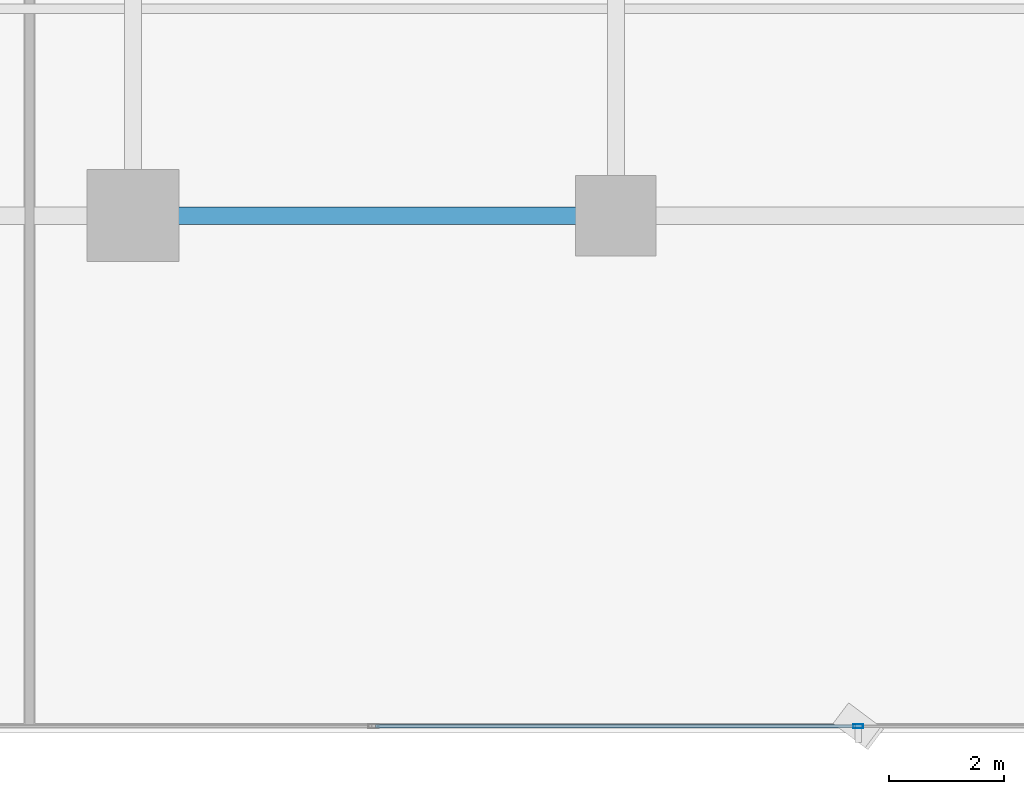
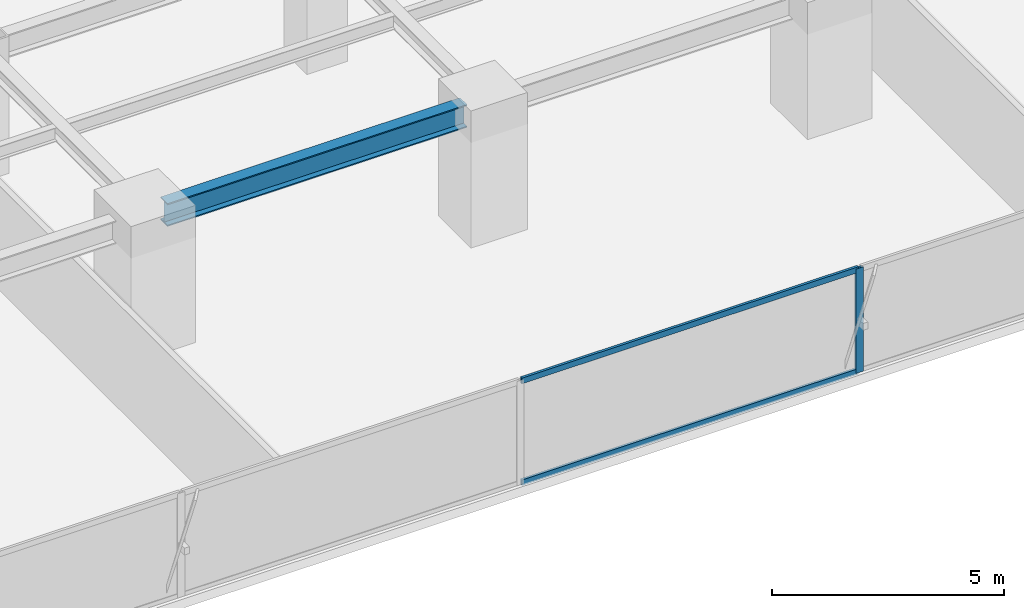
# One storey, part 5 of 32: 3 members, 1 beam, 1 element without a shape of its own.
"""IFC4 building model written with IfcOpenShell, lengths in metres."""

from ifc_helpers import new_model, si_unit, direction, frame, origin, origin_2d, place, context, subcontext, project, spatial, hollow_rectangle, i_section, extrude, source, transform, mapped, material, layer, layer_set, material_profile, profile_set, type_object, element, aggregate, save


model = new_model("IFC4")

# Units and contexts
model_context = context("Model", 3, precision=1e-05, world=origin(), true_north=direction((0.0, 1.0)))
body_context = subcontext(model_context, "Body", "Model", "MODEL_VIEW")
ifc_project = project(units=[si_unit("LENGTHUNIT", "METRE"), si_unit("AREAUNIT", "SQUARE_METRE"), si_unit("VOLUMEUNIT", "CUBIC_METRE"), si_unit("PLANEANGLEUNIT", "RADIAN"), si_unit("MASSUNIT", "GRAM", prefix="KILO")], contexts=[model_context])

# Site, building, storey
site_placement = place(None, origin())
site = spatial("IfcSite", under=ifc_project, at=site_placement, CompositionType="ELEMENT")
building_placement = place(site_placement, origin())
building = spatial("IfcBuilding", under=site, at=building_placement, Name="Sumidabori Civic Tower", CompositionType="ELEMENT")
storey_placement = place(building_placement, frame((0.0, 0.0, 52.39990234375)))
storey = spatial("IfcBuildingStorey", under=building, at=storey_placement, Name="L13", CompositionType="ELEMENT", Elevation=52.39990234375)

# Beam
ifc_material_1 = material(Name="Steel SN490", Category="steel")
ifc_material_profile_1 = material_profile(ifc_material_1, i_section(OverallWidth=0.300048828125, OverallDepth=0.60009765625, WebThickness=0.015380859375, FlangeThickness=0.030029296875, at=origin_2d()), Name="HE 600 B")
ifc_profile_set_1 = profile_set([ifc_material_profile_1], Name="Steel SN490")
beam_type = type_object("IfcBeamType", Name="BM-GIRD-600", PredefinedType="BEAM", material=ifc_profile_set_1)
shared_shape_1 = source(origin(), body_context, "Body", "SweptSolid", [
    extrude(i_section(OverallWidth=0.300048828125, OverallDepth=0.60009765625, WebThickness=0.015380859375, FlangeThickness=0.030029296875, at=origin_2d()), origin(), (0.0, 0.0, 1.0), 7.43994140625),
])
beam_placement = place(storey_placement, frame((-7.919921875, -18.0, 3.06005859375), z_axis=(1.0, 0.0, 0.0), x_axis=(0.0, 1.0, 0.0)))
element("IfcBeam", 1, at=beam_placement, inside=storey, type_object=beam_type, Name="Primary Girder L13 GX-03", PredefinedType="BEAM", context=body_context, shape_type="MappedRepresentation", body=[
    mapped(shared_shape_1, transform((0.0, 0.0, 0.0), x_axis=(1.0, 0.0, 0.0), y_axis=(0.0, 1.0, 0.0), z_axis=(0.0, 0.0, 1.0), scale=1.0)),
])

# Curtain wall, members
ifc_material_2 = material(Name="Anodised Bronze Aluminium AW-6063-T6", Category="aluminium")
ifc_layer = layer(ifc_material_2, 0.179931640625, Name="Anodised Bronze Aluminium AW-6063-T6")
ifc_layer_set = layer_set([ifc_layer], Name="Anodised Bronze Aluminium AW-6063-T6")
curtain_wall_type = type_object("IfcCurtainWallType", Name="CW-SYS-2", PredefinedType="NOTDEFINED", material=ifc_layer_set)
curtain_wall_placement = place(storey_placement, origin())
curtain_wall = element("IfcCurtainWall", 2, at=curtain_wall_placement, inside=storey, type_object=curtain_wall_type, Name="Curtain Wall CW:L13:R01", PredefinedType="NOTDEFINED")
ifc_material_profile_2 = material_profile(ifc_material_2, hollow_rectangle(XDim=0.070068359375, YDim=0.179931640625, WallThickness=0.006103515625, at=origin_2d()), Name="ALU MULLION 180x70")
ifc_profile_set_2 = profile_set([ifc_material_profile_2], Name="Anodised Bronze Aluminium AW-6063-T6")
member_type_1 = type_object("IfcMemberType", Name="CW-MUL-180", PredefinedType="MULLION", material=ifc_profile_set_2)
shared_shape_2 = source(origin(), body_context, "Body", "SweptSolid", [
    extrude(hollow_rectangle(XDim=0.070068359375, YDim=0.179931640625, WallThickness=0.006103515625, at=origin_2d()), origin(), (0.0, 0.0, 1.0), 2.739990234375),
])
member_1_placement = place(storey_placement, frame((4.214111328125, -26.8798828125, 0.0), z_axis=(0.0, 0.0, 1.0), x_axis=(0.0, 1.0, 0.0)))
member_1 = element("IfcMember", 3, at=member_1_placement, type_object=member_type_1, Name="CW-2 mullion 4", PredefinedType="MULLION", context=body_context, shape_type="MappedRepresentation", body=[
    mapped(shared_shape_2, transform((0.0, 0.0, 0.0), x_axis=(1.0, 0.0, 0.0), y_axis=(0.0, 1.0, 0.0), z_axis=(0.0, 0.0, 1.0), scale=1.0)),
])
ifc_material_profile_3 = material_profile(ifc_material_2, hollow_rectangle(XDim=0.06494140625, YDim=0.14990234375, WallThickness=0.0048828125, at=origin_2d()), Name="ALU TRANSOM 150x65")
ifc_profile_set_3 = profile_set([ifc_material_profile_3], Name="Anodised Bronze Aluminium AW-6063-T6")
member_type_2 = type_object("IfcMemberType", Name="CW-TRN-150", PredefinedType="USERDEFINED", material=ifc_profile_set_3)
shared_shape_3 = source(origin(), body_context, "Body", "SweptSolid", [
    extrude(hollow_rectangle(XDim=0.06494140625, YDim=0.14990234375, WallThickness=0.0048828125, at=origin_2d()), origin(), (0.0, 0.0, 1.0), 8.35791015625),
])
member_2_placement = place(storey_placement, frame((-4.178955078125, -26.8798828125, 0.03271484375), z_axis=(1.0, 0.0, 0.0), x_axis=(0.0, 1.0, 0.0)))
member_2 = element("IfcMember", 4, at=member_2_placement, type_object=member_type_2, Name="CW-2 transom 3.1", ObjectType="TRANSOM", PredefinedType="USERDEFINED", context=body_context, shape_type="MappedRepresentation", body=[
    mapped(shared_shape_3, transform((0.0, 0.0, 0.0), x_axis=(1.0, 0.0, 0.0), y_axis=(0.0, 1.0, 0.0), z_axis=(0.0, 0.0, 1.0), scale=1.0)),
])
member_3_placement = place(storey_placement, frame((-4.178955078125, -26.8798828125, 2.70751953125), z_axis=(1.0, 0.0, 0.0), x_axis=(0.0, 1.0, 0.0)))
member_3 = element("IfcMember", 5, at=member_3_placement, type_object=member_type_2, Name="CW-2 transom 3.2", ObjectType="TRANSOM", PredefinedType="USERDEFINED", context=body_context, shape_type="MappedRepresentation", body=[
    mapped(shared_shape_3, transform((0.0, 0.0, 0.0), x_axis=(1.0, 0.0, 0.0), y_axis=(0.0, 1.0, 0.0), z_axis=(0.0, 0.0, 1.0), scale=1.0)),
])
aggregate(curtain_wall, [member_1, member_2, member_3])

save(model, "model.ifc")
